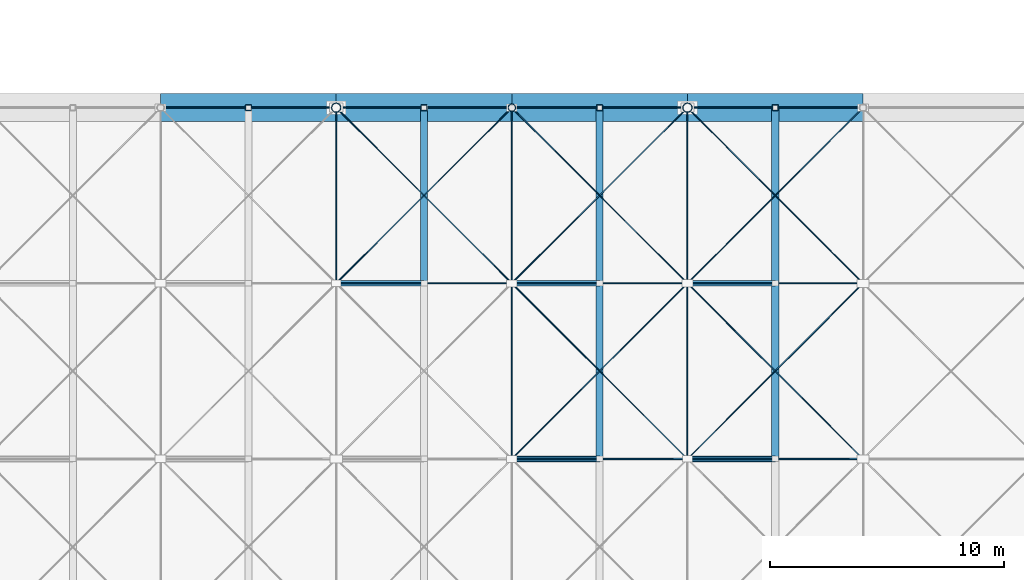
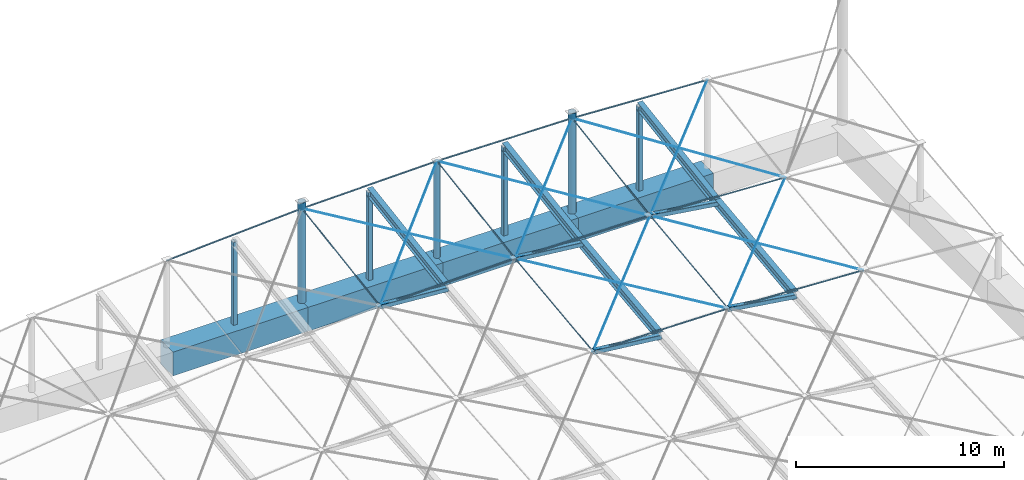
# One storey, part 8 of 17: 41 members, 4 beams.
"""IFC4 building model written with IfcOpenShell, lengths in metres."""

from ifc_helpers import new_model, si_unit, direction, frame, origin, origin_2d, place, context, subcontext, project, spatial, rectangle, hollow_rectangle, circle, hollow_circle, i_section, extrude, material, material_profile, profile_set, type_object, element, save


model = new_model("IFC4")

# Units and contexts
model_context = context("Model", 3, precision=1e-05, world=origin(), true_north=direction((0.0, 1.0)))
body_context = subcontext(model_context, "Body", "Model", "MODEL_VIEW")
ifc_project = project(units=[si_unit("LENGTHUNIT", "METRE"), si_unit("AREAUNIT", "SQUARE_METRE"), si_unit("VOLUMEUNIT", "CUBIC_METRE"), si_unit("PLANEANGLEUNIT", "RADIAN"), si_unit("MASSUNIT", "GRAM", prefix="KILO")], contexts=[model_context])

# Site, building, storey
site_placement = place(None, origin())
site = spatial("IfcSite", under=ifc_project, at=site_placement, CompositionType="ELEMENT")
building_placement = place(site_placement, origin())
building = spatial("IfcBuilding", under=site, at=building_placement, Name="Qasida Concert Hall", CompositionType="ELEMENT")
storey_placement = place(building_placement, frame((0.0, 0.0, 25.199951171875)))
storey = spatial("IfcBuildingStorey", under=building, at=storey_placement, Name="RF", CompositionType="ELEMENT", Elevation=25.199951171875)

# Beams
ifc_material_1 = material(Name="Concrete C50/60", Category="concrete")
ifc_material_profile_1 = material_profile(ifc_material_1, rectangle(XDim=1.199951171875, YDim=1.39990234375, at=origin_2d()), Name="RC 1200x1400")
ifc_profile_set_1 = profile_set([ifc_material_profile_1], Name="Concrete C50/60")
beam_type = type_object("IfcBeamType", Name="BM-RB1", PredefinedType="USERDEFINED", material=ifc_profile_set_1)
for number, where, z_axis, x_axis, name in (
    (1, (67.5, 82.5, 0.0), (1.0, 0.0, 0.0), (0.0, 1.0, 0.0), "Ring beam RB-008"),
    (2, (75.0, 82.5, 0.0), (1.0, 0.0, 0.0), (0.0, 1.0, 0.0), "Ring beam RB-009"),
    (3, (82.5, 82.5, 0.0), (1.0, 0.0, 0.0), (0.0, 1.0, 0.0), "Ring beam RB-010"),
    (4, (90.0, 82.5, 0.0), (1.0, 0.0, 0.0), (0.0, 1.0, 0.0), "Ring beam RB-011"),
):
    element("IfcBeam", number, at=place(storey_placement, frame(where, z_axis=z_axis, x_axis=x_axis)), inside=storey, type_object=beam_type, Name=name, ObjectType="GIRDER", PredefinedType="USERDEFINED", context=body_context, shape_type="SweptSolid", body=[
        extrude(rectangle(XDim=1.199951171875, YDim=1.39990234375, at=origin_2d()), origin(), (0.0, 0.0, 1.0), 7.5),
    ])

# Members
ifc_material_2 = material(Name="Steel S460N spiral strand EN 12385", Category="steel")
ifc_material_profile_2 = material_profile(ifc_material_2, circle(Radius=0.031982421875, at=origin_2d()), Name="STRAND D64")
ifc_profile_set_2 = profile_set([ifc_material_profile_2], Name="Steel S460N spiral strand EN 12385")
member_type_1 = type_object("IfcMemberType", Name="MB-CC1", PredefinedType="USERDEFINED", material=ifc_profile_set_2)
member_1_placement = place(storey_placement, frame((82.5, 67.5, 4.22998046875), z_axis=(0.999887909135, 0.0, -0.014972279889), x_axis=(0.0, 1.0, 0.0)))
element("IfcMember", 5, at=member_1_placement, inside=storey, type_object=member_type_1, Name="Roof cable CC-047", ObjectType="TENSION_CABLE", PredefinedType="USERDEFINED", context=body_context, shape_type="SweptSolid", body=[
    extrude(circle(Radius=0.031982421875, at=origin_2d()), origin(), (0.0, 0.0, 1.0), 7.500732421875),
])
member_2_placement = place(storey_placement, frame((90.0, 67.5, 4.11767578125), z_axis=(0.998708175982, 0.0, -0.050813179657), x_axis=(0.0, 1.0, 0.0)))
element("IfcMember", 6, at=member_2_placement, inside=storey, type_object=member_type_1, Name="Roof cable CC-048", ObjectType="TENSION_CABLE", PredefinedType="USERDEFINED", context=body_context, shape_type="SweptSolid", body=[
    extrude(circle(Radius=0.031982421875, at=origin_2d()), origin(), (0.0, 0.0, 1.0), 7.509765625),
])
member_3_placement = place(storey_placement, frame((67.5, 82.5, 5.72119140625), z_axis=(0.998385056234, 0.0, 0.056809149684), x_axis=(0.0, 1.0, 0.0)))
element("IfcMember", 7, at=member_3_placement, inside=storey, type_object=member_type_1, Name="Roof cable CC-059", ObjectType="TENSION_CABLE", PredefinedType="USERDEFINED", context=body_context, shape_type="SweptSolid", body=[
    extrude(circle(Radius=0.031982421875, at=origin_2d()), origin(), (0.0, 0.0, 1.0), 7.51220703125),
])
member_4_placement = place(storey_placement, frame((75.0, 82.5, 6.14794921875), z_axis=(0.999781018788, 0.0, 0.02092640609), x_axis=(0.0, 1.0, 0.0)))
element("IfcMember", 8, at=member_4_placement, inside=storey, type_object=member_type_1, Name="Roof cable CC-060", ObjectType="TENSION_CABLE", PredefinedType="USERDEFINED", context=body_context, shape_type="SweptSolid", body=[
    extrude(circle(Radius=0.031982421875, at=origin_2d()), origin(), (0.0, 0.0, 1.0), 7.501708984375),
])
member_5_placement = place(storey_placement, frame((82.5, 82.5, 6.304931640625), z_axis=(0.999887909135, 0.0, -0.014972279889), x_axis=(0.0, 1.0, 0.0)))
element("IfcMember", 9, at=member_5_placement, inside=storey, type_object=member_type_1, Name="Roof cable CC-061", ObjectType="TENSION_CABLE", PredefinedType="USERDEFINED", context=body_context, shape_type="SweptSolid", body=[
    extrude(circle(Radius=0.031982421875, at=origin_2d()), origin(), (0.0, 0.0, 1.0), 7.500732421875),
])
member_6_placement = place(storey_placement, frame((90.0, 82.5, 6.192626953125), z_axis=(0.998708175982, 0.0, -0.050813179657), x_axis=(0.0, 1.0, 0.0)))
element("IfcMember", 10, at=member_6_placement, inside=storey, type_object=member_type_1, Name="Roof cable CC-062", ObjectType="TENSION_CABLE", PredefinedType="USERDEFINED", context=body_context, shape_type="SweptSolid", body=[
    extrude(circle(Radius=0.031982421875, at=origin_2d()), origin(), (0.0, 0.0, 1.0), 7.509765625),
])
ifc_material_profile_3 = material_profile(ifc_material_2, circle(Radius=0.027099609375, at=origin_2d()), Name="STRAND D54")
ifc_profile_set_3 = profile_set([ifc_material_profile_3], Name="Steel S460N spiral strand EN 12385")
member_type_2 = type_object("IfcMemberType", Name="MB-CC2", PredefinedType="USERDEFINED", material=ifc_profile_set_3)
member_7_placement = place(storey_placement, frame((75.0, 75.0, 4.972900390625), z_axis=(0.999781018788, 0.0, 0.02092640609), x_axis=(0.0, 1.0, 0.0)))
element("IfcMember", 11, at=member_7_placement, inside=storey, type_object=member_type_2, Name="Roof cable CC-053", ObjectType="TENSION_CABLE", PredefinedType="USERDEFINED", context=body_context, shape_type="SweptSolid", body=[
    extrude(circle(Radius=0.027099609375, at=origin_2d()), origin(), (0.0, 0.0, 1.0), 7.501708984375),
])
member_8_placement = place(storey_placement, frame((82.5, 75.0, 5.1298828125), z_axis=(0.999888395876, 0.0, -0.014939738727), x_axis=(0.0, 1.0, 0.0)))
element("IfcMember", 12, at=member_8_placement, inside=storey, type_object=member_type_2, Name="Roof cable CC-054", ObjectType="TENSION_CABLE", PredefinedType="USERDEFINED", context=body_context, shape_type="SweptSolid", body=[
    extrude(circle(Radius=0.027099609375, at=origin_2d()), origin(), (0.0, 0.0, 1.0), 7.500732421875),
])
member_9_placement = place(storey_placement, frame((90.0, 75.0, 5.017822265625), z_axis=(0.998706525654, 0.0, -0.050845605668), x_axis=(0.0, 1.0, 0.0)))
element("IfcMember", 13, at=member_9_placement, inside=storey, type_object=member_type_2, Name="Roof cable CC-055", ObjectType="TENSION_CABLE", PredefinedType="USERDEFINED", context=body_context, shape_type="SweptSolid", body=[
    extrude(circle(Radius=0.027099609375, at=origin_2d()), origin(), (0.0, 0.0, 1.0), 7.509765625),
])
ifc_material_3 = material(Name="Steel S355J2", Category="steel")
ifc_material_profile_4 = material_profile(ifc_material_3, i_section(OverallWidth=0.300048828125, OverallDepth=0.489990234375, WebThickness=0.011962890625, FlangeThickness=0.02294921875, FilletRadius=0.027099609375, at=origin_2d()), Name="HEA 500")
ifc_profile_set_4 = profile_set([ifc_material_profile_4], Name="Steel S355J2")
member_type_3 = type_object("IfcMemberType", Name="MB-PR3", PredefinedType="PURLIN", material=ifc_profile_set_4)
member_10_placement = place(storey_placement, frame((78.75, 75.0, 4.695068359375), z_axis=(0.0, 0.987948181755, 0.154784980429), x_axis=(-1.0, 0.0, 0.0)))
element("IfcMember", 14, at=member_10_placement, inside=storey, type_object=member_type_3, Name="Cable-net secondary rib RFR-051", PredefinedType="PURLIN", context=body_context, shape_type="SweptSolid", body=[
    extrude(i_section(OverallWidth=0.300048828125, OverallDepth=0.489990234375, WebThickness=0.011962890625, FlangeThickness=0.02294921875, FilletRadius=0.027099609375, at=origin_2d()), origin(), (0.0, 0.0, 1.0), 7.591552734375),
])
member_11_placement = place(storey_placement, frame((86.25, 67.5, 3.8173828125), z_axis=(0.0, 0.992874544287, 0.119164337395), x_axis=(-1.0, 0.0, 0.0)))
element("IfcMember", 15, at=member_11_placement, inside=storey, type_object=member_type_3, Name="Cable-net secondary rib RFR-067", PredefinedType="PURLIN", context=body_context, shape_type="SweptSolid", body=[
    extrude(i_section(OverallWidth=0.300048828125, OverallDepth=0.489990234375, WebThickness=0.011962890625, FlangeThickness=0.02294921875, FilletRadius=0.027099609375, at=origin_2d()), origin(), (0.0, 0.0, 1.0), 7.5537109375),
])
member_12_placement = place(storey_placement, frame((86.25, 75.0, 4.717529296875), z_axis=(0.0, 0.987953099139, 0.15475359092), x_axis=(-1.0, 0.0, 0.0)))
element("IfcMember", 16, at=member_12_placement, inside=storey, type_object=member_type_3, Name="Cable-net secondary rib RFR-068", PredefinedType="PURLIN", context=body_context, shape_type="SweptSolid", body=[
    extrude(i_section(OverallWidth=0.300048828125, OverallDepth=0.489990234375, WebThickness=0.011962890625, FlangeThickness=0.02294921875, FilletRadius=0.027099609375, at=origin_2d()), origin(), (0.0, 0.0, 1.0), 7.591552734375),
])
member_13_placement = place(storey_placement, frame((93.75, 67.5, 3.570556640625), z_axis=(0.0, 0.992878367755, 0.119132476027), x_axis=(-1.0, 0.0, 0.0)))
element("IfcMember", 17, at=member_13_placement, inside=storey, type_object=member_type_3, Name="Cable-net secondary rib RFR-084", PredefinedType="PURLIN", context=body_context, shape_type="SweptSolid", body=[
    extrude(i_section(OverallWidth=0.300048828125, OverallDepth=0.489990234375, WebThickness=0.011962890625, FlangeThickness=0.02294921875, FilletRadius=0.027099609375, at=origin_2d()), origin(), (0.0, 0.0, 1.0), 7.5537109375),
])
member_14_placement = place(storey_placement, frame((93.75, 75.0, 4.470458984375), z_axis=(0.0, 0.987948181755, 0.154784980429), x_axis=(-1.0, 0.0, 0.0)))
element("IfcMember", 18, at=member_14_placement, inside=storey, type_object=member_type_3, Name="Cable-net secondary rib RFR-085", PredefinedType="PURLIN", context=body_context, shape_type="SweptSolid", body=[
    extrude(i_section(OverallWidth=0.300048828125, OverallDepth=0.489990234375, WebThickness=0.011962890625, FlangeThickness=0.02294921875, FilletRadius=0.027099609375, at=origin_2d()), origin(), (0.0, 0.0, 1.0), 7.591552734375),
])
ifc_material_profile_5 = material_profile(ifc_material_2, circle(Radius=0.02197265625, at=origin_2d()), Name="STRAND D44")
ifc_profile_set_5 = profile_set([ifc_material_profile_5], Name="Steel S460N spiral strand EN 12385")
member_type_4 = type_object("IfcMemberType", Name="MB-SC1", PredefinedType="USERDEFINED", material=ifc_profile_set_5)
member_15_placement = place(storey_placement, frame((75.0, 75.0, 4.972900390625), z_axis=(0.0, 0.987948181755, 0.154784980429), x_axis=(-1.0, 0.0, 0.0)))
element("IfcMember", 19, at=member_15_placement, inside=storey, type_object=member_type_4, Name="Roof cable SC-032", ObjectType="TENSION_CABLE", PredefinedType="USERDEFINED", context=body_context, shape_type="SweptSolid", body=[
    extrude(circle(Radius=0.02197265625, at=origin_2d()), origin(), (0.0, 0.0, 1.0), 7.591552734375),
])
member_16_placement = place(storey_placement, frame((82.5, 67.5, 4.22998046875), z_axis=(0.0, 0.992878367755, 0.119132476027), x_axis=(-1.0, 0.0, 0.0)))
element("IfcMember", 20, at=member_16_placement, inside=storey, type_object=member_type_4, Name="Roof cable SC-039", ObjectType="TENSION_CABLE", PredefinedType="USERDEFINED", context=body_context, shape_type="SweptSolid", body=[
    extrude(circle(Radius=0.02197265625, at=origin_2d()), origin(), (0.0, 0.0, 1.0), 7.5537109375),
])
member_17_placement = place(storey_placement, frame((82.5, 75.0, 5.1298828125), z_axis=(0.0, 0.987948181755, 0.154784980429), x_axis=(-1.0, 0.0, 0.0)))
element("IfcMember", 21, at=member_17_placement, inside=storey, type_object=member_type_4, Name="Roof cable SC-040", ObjectType="TENSION_CABLE", PredefinedType="USERDEFINED", context=body_context, shape_type="SweptSolid", body=[
    extrude(circle(Radius=0.02197265625, at=origin_2d()), origin(), (0.0, 0.0, 1.0), 7.591552734375),
])
member_18_placement = place(storey_placement, frame((90.0, 67.5, 4.11767578125), z_axis=(0.0, 0.992874544287, 0.119164337395), x_axis=(-1.0, 0.0, 0.0)))
element("IfcMember", 22, at=member_18_placement, inside=storey, type_object=member_type_4, Name="Roof cable SC-047", ObjectType="TENSION_CABLE", PredefinedType="USERDEFINED", context=body_context, shape_type="SweptSolid", body=[
    extrude(circle(Radius=0.02197265625, at=origin_2d()), origin(), (0.0, 0.0, 1.0), 7.5537109375),
])
member_19_placement = place(storey_placement, frame((90.0, 75.0, 5.017822265625), z_axis=(0.0, 0.987953099139, 0.15475359092), x_axis=(-1.0, 0.0, 0.0)))
element("IfcMember", 23, at=member_19_placement, inside=storey, type_object=member_type_4, Name="Roof cable SC-048", ObjectType="TENSION_CABLE", PredefinedType="USERDEFINED", context=body_context, shape_type="SweptSolid", body=[
    extrude(circle(Radius=0.02197265625, at=origin_2d()), origin(), (0.0, 0.0, 1.0), 7.591552734375),
])
member_20_placement = place(storey_placement, frame((75.0, 75.0, 4.972900390625), z_axis=(0.701595774576, 0.701595774576, 0.12460633288), x_axis=(-0.707106781187, 0.707106781187, 0.0)))
element("IfcMember", 24, at=member_20_placement, inside=storey, type_object=member_type_4, Name="Roof cable diagonal DC-063", ObjectType="TENSION_CABLE", PredefinedType="USERDEFINED", context=body_context, shape_type="SweptSolid", body=[
    extrude(circle(Radius=0.02197265625, at=origin_2d()), origin(), (0.0, 0.0, 1.0), 10.68994140625),
])
member_21_placement = place(storey_placement, frame((75.0, 82.5, 6.14794921875), z_axis=(0.70387183963, -0.70387183963, -0.095545103231), x_axis=(0.707106781187, 0.707106781187, 0.0)))
element("IfcMember", 25, at=member_21_placement, inside=storey, type_object=member_type_4, Name="Roof cable diagonal DC-064", ObjectType="TENSION_CABLE", PredefinedType="USERDEFINED", context=body_context, shape_type="SweptSolid", body=[
    extrude(circle(Radius=0.02197265625, at=origin_2d()), origin(), (0.0, 0.0, 1.0), 10.6552734375),
])
member_22_placement = place(storey_placement, frame((82.5, 67.5, 4.22998046875), z_axis=(0.705164160754, 0.705164160754, 0.074074373267), x_axis=(-0.707106781187, 0.707106781187, 0.0)))
element("IfcMember", 26, at=member_22_placement, inside=storey, type_object=member_type_4, Name="Roof cable diagonal DC-077", ObjectType="TENSION_CABLE", PredefinedType="USERDEFINED", context=body_context, shape_type="SweptSolid", body=[
    extrude(circle(Radius=0.02197265625, at=origin_2d()), origin(), (0.0, 0.0, 1.0), 10.6357421875),
])
member_23_placement = place(storey_placement, frame((82.5, 75.0, 5.1298828125), z_axis=(0.703908717702, -0.703908717702, -0.095000180455), x_axis=(0.707106781187, 0.707106781187, 0.0)))
element("IfcMember", 27, at=member_23_placement, inside=storey, type_object=member_type_4, Name="Roof cable diagonal DC-078", ObjectType="TENSION_CABLE", PredefinedType="USERDEFINED", context=body_context, shape_type="SweptSolid", body=[
    extrude(circle(Radius=0.02197265625, at=origin_2d()), origin(), (0.0, 0.0, 1.0), 10.65478515625),
])
member_24_placement = place(storey_placement, frame((82.5, 75.0, 5.1298828125), z_axis=(0.70358384438, 0.70358384438, 0.099697281074), x_axis=(-0.707106781187, 0.707106781187, 0.0)))
element("IfcMember", 28, at=member_24_placement, inside=storey, type_object=member_type_4, Name="Roof cable diagonal DC-079", ObjectType="TENSION_CABLE", PredefinedType="USERDEFINED", context=body_context, shape_type="SweptSolid", body=[
    extrude(circle(Radius=0.02197265625, at=origin_2d()), origin(), (0.0, 0.0, 1.0), 10.65966796875),
])
member_25_placement = place(storey_placement, frame((82.5, 82.5, 6.304931640625), z_axis=(0.701957234859, -0.701957234859, -0.120466098378), x_axis=(0.707106781187, 0.707106781187, 0.0)))
element("IfcMember", 29, at=member_25_placement, inside=storey, type_object=member_type_4, Name="Roof cable diagonal DC-080", ObjectType="TENSION_CABLE", PredefinedType="USERDEFINED", context=body_context, shape_type="SweptSolid", body=[
    extrude(circle(Radius=0.02197265625, at=origin_2d()), origin(), (0.0, 0.0, 1.0), 10.684326171875),
])
member_26_placement = place(storey_placement, frame((90.0, 67.5, 4.11767578125), z_axis=(0.706264017882, 0.706264017882, 0.048808545246), x_axis=(-0.707106781187, 0.707106781187, 0.0)))
element("IfcMember", 30, at=member_26_placement, inside=storey, type_object=member_type_4, Name="Roof cable diagonal DC-093", ObjectType="TENSION_CABLE", PredefinedType="USERDEFINED", context=body_context, shape_type="SweptSolid", body=[
    extrude(circle(Radius=0.02197265625, at=origin_2d()), origin(), (0.0, 0.0, 1.0), 10.619140625),
])
member_27_placement = place(storey_placement, frame((90.0, 75.0, 5.017822265625), z_axis=(0.701999659668, -0.701999659668, -0.119970644963), x_axis=(0.707106781187, 0.707106781187, 0.0)))
element("IfcMember", 31, at=member_27_placement, inside=storey, type_object=member_type_4, Name="Roof cable diagonal DC-094", ObjectType="TENSION_CABLE", PredefinedType="USERDEFINED", context=body_context, shape_type="SweptSolid", body=[
    extrude(circle(Radius=0.02197265625, at=origin_2d()), origin(), (0.0, 0.0, 1.0), 10.683837890625),
])
member_28_placement = place(storey_placement, frame((90.0, 75.0, 5.017822265625), z_axis=(0.705137693838, 0.705137693838, 0.074576574456), x_axis=(-0.707106781187, 0.707106781187, 0.0)))
element("IfcMember", 32, at=member_28_placement, inside=storey, type_object=member_type_4, Name="Roof cable diagonal DC-095", ObjectType="TENSION_CABLE", PredefinedType="USERDEFINED", context=body_context, shape_type="SweptSolid", body=[
    extrude(circle(Radius=0.02197265625, at=origin_2d()), origin(), (0.0, 0.0, 1.0), 10.63623046875),
])
member_29_placement = place(storey_placement, frame((90.0, 82.5, 6.192626953125), z_axis=(0.699612467813, -0.699612467813, -0.145206025221), x_axis=(0.707106781187, 0.707106781187, 0.0)))
element("IfcMember", 33, at=member_29_placement, inside=storey, type_object=member_type_4, Name="Roof cable diagonal DC-096", ObjectType="TENSION_CABLE", PredefinedType="USERDEFINED", context=body_context, shape_type="SweptSolid", body=[
    extrude(circle(Radius=0.02197265625, at=origin_2d()), origin(), (0.0, 0.0, 1.0), 10.72021484375),
])
ifc_material_profile_6 = material_profile(ifc_material_3, hollow_circle(Radius=0.203125, WallThickness=0.02001953125, at=origin_2d()), Name="CHS 406.4x20")
ifc_profile_set_6 = profile_set([ifc_material_profile_6], Name="Steel S355J2")
member_type_5 = type_object("IfcMemberType", Name="MB-ST2", PredefinedType="STRUT", material=ifc_profile_set_6)
for number, where, z_axis, x_axis, name in (
    (34, (75.0, 82.5, 0.0), (0.0, 0.0, 1.0), (1.0, 0.0, 0.0), "Cable-net mast MS-07"),
    (35, (90.0, 82.5, 0.0), (0.0, 0.0, 1.0), (1.0, 0.0, 0.0), "Cable-net mast MS-08"),
):
    element("IfcMember", number, at=place(storey_placement, frame(where, z_axis=z_axis, x_axis=x_axis)), inside=storey, type_object=member_type_5, Name=name, PredefinedType="STRUT", context=body_context, shape_type="SweptSolid", body=[
        extrude(hollow_circle(Radius=0.203125, WallThickness=0.02001953125, at=origin_2d()), origin(), (0.0, 0.0, 1.0), 6.60009765625),
    ])
ifc_material_profile_7 = material_profile(ifc_material_3, hollow_circle(Radius=0.161865234375, WallThickness=0.01611328125, at=origin_2d()), Name="CHS 323.9x16")
ifc_profile_set_7 = profile_set([ifc_material_profile_7], Name="Steel S355J2")
member_type_6 = type_object("IfcMemberType", Name="MB-ST3", PredefinedType="STRUT", material=ifc_profile_set_7)
member_30_placement = place(storey_placement, frame((82.5, 82.5, 0.0), z_axis=(0.0, 0.0, 1.0), x_axis=(1.0, 0.0, 0.0)))
element("IfcMember", 36, at=member_30_placement, inside=storey, type_object=member_type_6, Name="Roof ring-beam edge strut EST-013", PredefinedType="STRUT", context=body_context, shape_type="SweptSolid", body=[
    extrude(hollow_circle(Radius=0.161865234375, WallThickness=0.01611328125, at=origin_2d()), origin(), (0.0, 0.0, 1.0), 6.304931640625),
])
ifc_material_profile_8 = material_profile(ifc_material_3, hollow_rectangle(XDim=0.25, YDim=0.25, WallThickness=0.012451171875, InnerFilletRadius=0.012451171875, OuterFilletRadius=0.02490234375, at=origin_2d()), Name="SHS 250x250x12.5")
ifc_profile_set_8 = profile_set([ifc_material_profile_8], Name="Steel S355J2")
member_type_7 = type_object("IfcMemberType", Name="MB-ST5", PredefinedType="STRUT", material=ifc_profile_set_8)
member_31_placement = place(storey_placement, frame((71.25, 82.5, 0.0), z_axis=(0.0, 0.0, 1.0), x_axis=(1.0, 0.0, 0.0)))
element("IfcMember", 37, at=member_31_placement, inside=storey, type_object=member_type_7, Name="Cable-net rib post RFRE-019", PredefinedType="STRUT", context=body_context, shape_type="SweptSolid", body=[
    extrude(hollow_rectangle(XDim=0.25, YDim=0.25, WallThickness=0.012451171875, InnerFilletRadius=0.012451171875, OuterFilletRadius=0.02490234375, at=origin_2d()), origin(), (0.0, 0.0, 1.0), 5.578369140625),
])
member_32_placement = place(storey_placement, frame((78.75, 82.5, 0.0), z_axis=(0.0, 0.0, 1.0), x_axis=(1.0, 0.0, 0.0)))
element("IfcMember", 38, at=member_32_placement, inside=storey, type_object=member_type_7, Name="Cable-net rib post RFRE-036", PredefinedType="STRUT", context=body_context, shape_type="SweptSolid", body=[
    extrude(hollow_rectangle(XDim=0.25, YDim=0.25, WallThickness=0.012451171875, InnerFilletRadius=0.012451171875, OuterFilletRadius=0.02490234375, at=origin_2d()), origin(), (0.0, 0.0, 1.0), 5.8701171875),
])
member_33_placement = place(storey_placement, frame((75.0, 75.0, 4.972900390625), z_axis=(0.997266691441, 0.0, -0.073886034822), x_axis=(0.0, 1.0, 0.0)))
element("IfcMember", 39, at=member_33_placement, inside=storey, type_object=member_type_7, Name="Cable-net rib hanger strut RFRH-043", PredefinedType="STRUT", context=body_context, shape_type="SweptSolid", body=[
    extrude(hollow_rectangle(XDim=0.25, YDim=0.25, WallThickness=0.012451171875, InnerFilletRadius=0.012451171875, OuterFilletRadius=0.02490234375, at=origin_2d()), origin(), (0.0, 0.0, 1.0), 3.76025390625),
])
member_34_placement = place(storey_placement, frame((86.25, 82.5, 0.0), z_axis=(0.0, 0.0, 1.0), x_axis=(1.0, 0.0, 0.0)))
element("IfcMember", 40, at=member_34_placement, inside=storey, type_object=member_type_7, Name="Cable-net rib post RFRE-053", PredefinedType="STRUT", context=body_context, shape_type="SweptSolid", body=[
    extrude(hollow_rectangle(XDim=0.25, YDim=0.25, WallThickness=0.012451171875, InnerFilletRadius=0.012451171875, OuterFilletRadius=0.02490234375, at=origin_2d()), origin(), (0.0, 0.0, 1.0), 5.892333984375),
])
for number, where, z_axis, x_axis, name in (
    (41, (82.5, 67.5, 4.22998046875), (0.994001542248, 0.0, -0.109366055104), (0.0, 1.0, 0.0), "Cable-net rib hanger strut RFRH-059"),
    (42, (82.5, 75.0, 5.1298828125), (0.994008575263, 0.0, -0.109302114819), (0.0, 1.0, 0.0), "Cable-net rib hanger strut RFRH-060"),
):
    element("IfcMember", number, at=place(storey_placement, frame(where, z_axis=z_axis, x_axis=x_axis)), inside=storey, type_object=member_type_7, Name=name, PredefinedType="STRUT", context=body_context, shape_type="SweptSolid", body=[
        extrude(hollow_rectangle(XDim=0.25, YDim=0.25, WallThickness=0.012451171875, InnerFilletRadius=0.012451171875, OuterFilletRadius=0.02490234375, at=origin_2d()), origin(), (0.0, 0.0, 1.0), 3.772705078125),
    ])
member_35_placement = place(storey_placement, frame((93.75, 82.5, 0.0), z_axis=(0.0, 0.0, 1.0), x_axis=(1.0, 0.0, 0.0)))
element("IfcMember", 43, at=member_35_placement, inside=storey, type_object=member_type_7, Name="Cable-net rib post RFRE-070", PredefinedType="STRUT", context=body_context, shape_type="SweptSolid", body=[
    extrude(hollow_rectangle(XDim=0.25, YDim=0.25, WallThickness=0.012451171875, InnerFilletRadius=0.012451171875, OuterFilletRadius=0.02490234375, at=origin_2d()), origin(), (0.0, 0.0, 1.0), 5.6455078125),
])
for number, where, z_axis, x_axis, name in (
    (44, (90.0, 67.5, 4.11767578125), (0.989523779804, 0.0, -0.144369973342), (0.0, 1.0, 0.0), "Cable-net rib hanger strut RFRH-076"),
    (45, (90.0, 75.0, 5.017822265625), (0.989514574694, 0.0, -0.144433051853), (0.0, 1.0, 0.0), "Cable-net rib hanger strut RFRH-077"),
):
    element("IfcMember", number, at=place(storey_placement, frame(where, z_axis=z_axis, x_axis=x_axis)), inside=storey, type_object=member_type_7, Name=name, PredefinedType="STRUT", context=body_context, shape_type="SweptSolid", body=[
        extrude(hollow_rectangle(XDim=0.25, YDim=0.25, WallThickness=0.012451171875, InnerFilletRadius=0.012451171875, OuterFilletRadius=0.02490234375, at=origin_2d()), origin(), (0.0, 0.0, 1.0), 3.789794921875),
    ])

save(model, "model.ifc")
